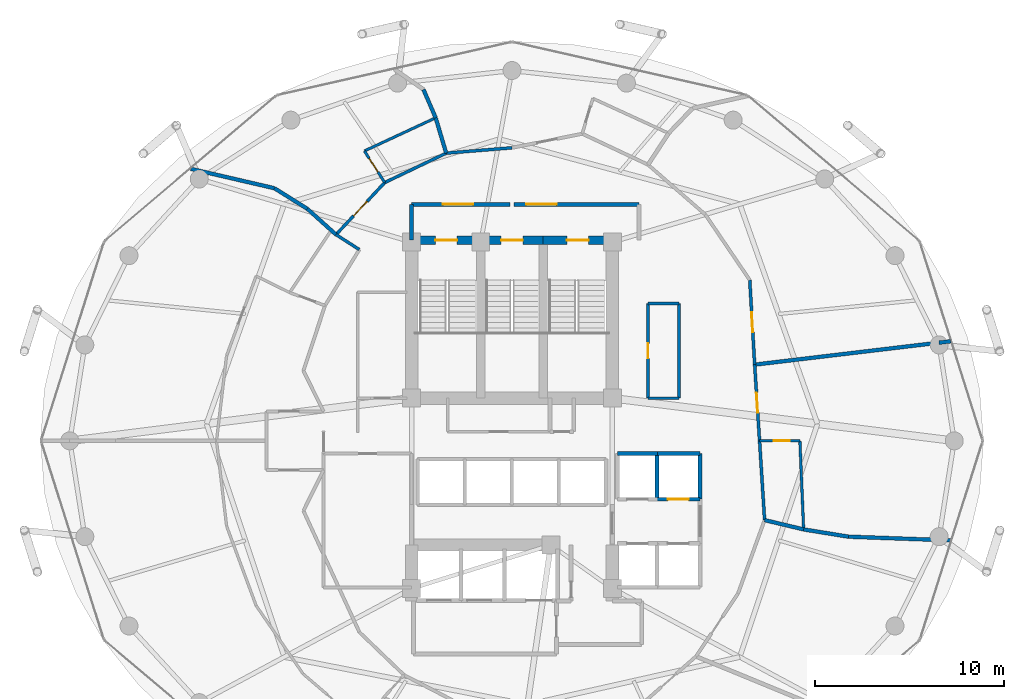
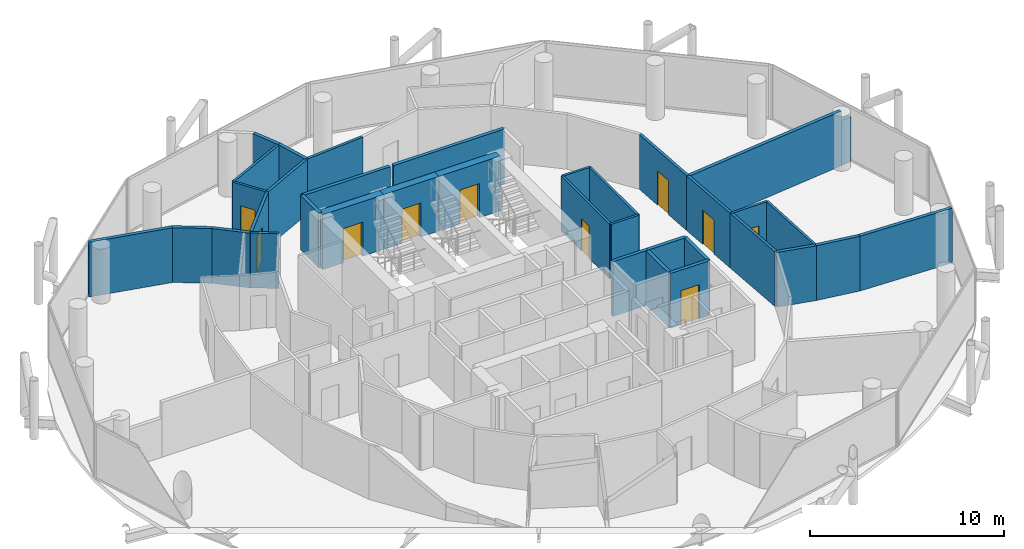
# One storey, part 24 of 26: 36 walls, 12 doors, 12 openings.
"""IFC4 building model written with IfcOpenShell, lengths in metres."""

from ifc_helpers import new_model, si_unit, direction, frame, frame_2d, origin, place, context, subcontext, project, spatial, rectangle, extrude, material, layer, layer_set, type_object, element, fill, save


model = new_model("IFC4")

# Units and contexts
model_context = context("Model", 3, precision=1e-05, world=origin(), true_north=direction((0.0, 1.0)))
body_context = subcontext(model_context, "Body", "Model", "MODEL_VIEW")
ifc_project = project(units=[si_unit("LENGTHUNIT", "METRE"), si_unit("AREAUNIT", "SQUARE_METRE"), si_unit("VOLUMEUNIT", "CUBIC_METRE"), si_unit("PLANEANGLEUNIT", "RADIAN"), si_unit("MASSUNIT", "GRAM", prefix="KILO")], contexts=[model_context])

# Site, building, storey
site_placement = place(None, origin())
site = spatial("IfcSite", under=ifc_project, at=site_placement, CompositionType="ELEMENT")
building_placement = place(site_placement, origin())
building = spatial("IfcBuilding", under=site, at=building_placement, Name="Nuhasar Tower", CompositionType="ELEMENT")
storey_placement = place(building_placement, frame((0.0, 0.0, 125.64990234375)))
storey = spatial("IfcBuildingStorey", under=building, at=storey_placement, Name="L29", CompositionType="ELEMENT", Elevation=125.64990234375)

# Wall, opening, door
ifc_material_1 = material(Name="Concrete C50/60", Category="concrete")
ifc_layer_1 = layer(ifc_material_1, 0.449951171875)
ifc_layer_set_1 = layer_set([ifc_layer_1], Name="Concrete C50/60")
wall_type_1 = type_object("IfcWallType", Name="WL-CORE-450", PredefinedType="SHEAR", material=ifc_layer_set_1)
wall_1_placement = place(storey_placement, frame((37.35009765625, 37.39990234375, 0.0), z_axis=(0.0, 0.0, 1.0), x_axis=(-1.0, 0.0, 0.0)))
wall_1 = element("IfcWall", 1, at=wall_1_placement, inside=storey, type_object=wall_type_1, Name="L29 Stairwell Shear Wall ST01-N", PredefinedType="SHEAR", context=body_context, shape_type="SweptSolid", body=[
    extrude(rectangle(XDim=3.650146484375, YDim=0.449951171875, at=frame_2d((1.8251953125, 0.0))), origin(), (0.0, 0.0, 1.0), 3.4501953125),
])
opening_1_placement = place(wall_1_placement, frame((1.25, 0.0, 0.0)))
opening_1 = element("IfcOpeningElement", 2, at=opening_1_placement, cuts=wall_1, Name="Opening DS-01", PredefinedType="OPENING", context=body_context, shape_type="SweptSolid", body=[
    extrude(rectangle(XDim=1.14990234375, YDim=2.14990234375, at=frame_2d((0.574951171875, 1.074951171875))), frame((0.0, 0.23486328125, 0.0), z_axis=(0.0, -1.0, 0.0), x_axis=(1.0, 0.0, 0.0)), (0.0, 0.0, 1.0), 0.469970703125),
])
ifc_material_2 = material(Name="Steel S355", Category="steel")
door_type_1 = type_object("IfcDoorType", Name="DR-STAIR-FD120-1150", OperationType="NOTDEFINED", PredefinedType="DOOR", material=ifc_material_2)
door_1_placement = place(opening_1_placement, origin())
door_1 = element("IfcDoor", 3, at=door_1_placement, inside=storey, type_object=door_type_1, Name="L29 Exit Stair ST-01 Door", OperationType="SINGLE_SWING_RIGHT", OverallHeight=2.14990234375, OverallWidth=1.14990234375, PredefinedType="DOOR", context=body_context, shape_type="SweptSolid", body=[
    extrude(rectangle(XDim=1.14990234375, YDim=2.14990234375, at=frame_2d((0.574951171875, 1.074951171875))), frame((0.0, 0.02490234375, 0.0), z_axis=(0.0, -1.0, 0.0), x_axis=(1.0, 0.0, 0.0)), (0.0, 0.0, 1.0), 0.050048828125),
])
fill(opening_1, door_1)

wall_2_placement = place(storey_placement, frame((40.64990234375, 37.39990234375, 0.0), z_axis=(0.0, 0.0, 1.0), x_axis=(-1.0, 0.0, 0.0)))
wall_2 = element("IfcWall", 4, at=wall_2_placement, inside=storey, type_object=wall_type_1, Name="L29 Stairwell Shear Wall ST03-N", PredefinedType="SHEAR", context=body_context, shape_type="SweptSolid", body=[
    extrude(rectangle(XDim=3.2998046875, YDim=0.449951171875, at=frame_2d((1.64990234375, 0.0))), origin(), (0.0, 0.0, 1.0), 3.4501953125),
])
opening_2_placement = place(wall_2_placement, frame((1.074951171875, 0.0, 0.0)))
opening_2 = element("IfcOpeningElement", 5, at=opening_2_placement, cuts=wall_2, Name="Opening DS-01", PredefinedType="OPENING", context=body_context, shape_type="SweptSolid", body=[
    extrude(rectangle(XDim=1.14990234375, YDim=2.14990234375, at=frame_2d((0.574951171875, 1.074951171875))), frame((0.0, 0.23486328125, 0.0), z_axis=(0.0, -1.0, 0.0), x_axis=(1.0, 0.0, 0.0)), (0.0, 0.0, 1.0), 0.469970703125),
])
door_2_placement = place(opening_2_placement, origin())
door_2 = element("IfcDoor", 6, at=door_2_placement, inside=storey, type_object=door_type_1, Name="L29 Exit Stair ST-03 Door", OperationType="SINGLE_SWING_RIGHT", OverallHeight=2.14990234375, OverallWidth=1.14990234375, PredefinedType="DOOR", context=body_context, shape_type="SweptSolid", body=[
    extrude(rectangle(XDim=1.14990234375, YDim=2.14990234375, at=frame_2d((0.574951171875, 1.074951171875))), frame((0.0, 0.02490234375, 0.0), z_axis=(0.0, -1.0, 0.0), x_axis=(1.0, 0.0, 0.0)), (0.0, 0.0, 1.0), 0.050048828125),
])
fill(opening_2, door_2)

wall_3_placement = place(storey_placement, frame((44.300048828125, 37.39990234375, 0.0), z_axis=(0.0, 0.0, 1.0), x_axis=(-1.0, 0.0, 0.0)))
wall_3 = element("IfcWall", 7, at=wall_3_placement, inside=storey, type_object=wall_type_1, Name="L29 Stairwell Shear Wall ST02-N", PredefinedType="SHEAR", context=body_context, shape_type="SweptSolid", body=[
    extrude(rectangle(XDim=3.650146484375, YDim=0.449951171875, at=frame_2d((1.8251953125, 0.0))), origin(), (0.0, 0.0, 1.0), 3.4501953125),
])
opening_3_placement = place(wall_3_placement, frame((1.25, 0.0, 0.0)))
opening_3 = element("IfcOpeningElement", 8, at=opening_3_placement, cuts=wall_3, Name="Opening DS-01", PredefinedType="OPENING", context=body_context, shape_type="SweptSolid", body=[
    extrude(rectangle(XDim=1.14990234375, YDim=2.14990234375, at=frame_2d((0.574951171875, 1.074951171875))), frame((0.0, 0.23486328125, 0.0), z_axis=(0.0, -1.0, 0.0), x_axis=(1.0, 0.0, 0.0)), (0.0, 0.0, 1.0), 0.469970703125),
])
door_3_placement = place(opening_3_placement, origin())
door_3 = element("IfcDoor", 9, at=door_3_placement, inside=storey, type_object=door_type_1, Name="L29 Exit Stair ST-02 Door", OperationType="SINGLE_SWING_LEFT", OverallHeight=2.14990234375, OverallWidth=1.14990234375, PredefinedType="DOOR", context=body_context, shape_type="SweptSolid", body=[
    extrude(rectangle(XDim=1.14990234375, YDim=2.14990234375, at=frame_2d((0.574951171875, 1.074951171875))), frame((0.0, 0.02490234375, 0.0), z_axis=(0.0, -1.0, 0.0), x_axis=(1.0, 0.0, 0.0)), (0.0, 0.0, 1.0), 0.050048828125),
])
fill(opening_3, door_3)

# Wall
ifc_material_3 = material(Name="Gypsum Board", Category="gypsum")
ifc_layer_2 = layer(ifc_material_3, 0.159912109375)
ifc_layer_set_2 = layer_set([ifc_layer_2], Name="Gypsum Board")
wall_type_2 = type_object("IfcWallType", Name="WL-CORR-160", PredefinedType="PARTITIONING", material=ifc_layer_set_2)
wall_4_placement = place(storey_placement, frame((52.3369140625, 22.614013671875, 0.0), z_axis=(0.0, 0.0, 1.0), x_axis=(-0.063617518313, 0.997974354061, 0.0)))
element("IfcWall", 10, at=wall_4_placement, inside=storey, type_object=wall_type_2, Name="L29 Interior Partition CORR-46", PredefinedType="PARTITIONING", context=body_context, shape_type="SweptSolid", body=[
    extrude(rectangle(XDim=4.194580078125, YDim=0.159912109375, at=frame_2d((2.09716796875, 0.0))), origin(), (0.0, 0.0, 1.0), 3.4501953125),
])

# Wall, opening, door
wall_5_placement = place(storey_placement, frame((51.81201171875, 30.822021484375, 0.0), z_axis=(0.0, 0.0, 1.0), x_axis=(0.064030047677, -0.997947971086, 0.0)))
wall_5 = element("IfcWall", 11, at=wall_5_placement, inside=storey, type_object=wall_type_2, Name="L29 Interior Partition CORR-00", PredefinedType="PARTITIONING", context=body_context, shape_type="SweptSolid", body=[
    extrude(rectangle(XDim=4.0302734375, YDim=0.159912109375, at=frame_2d((2.01513671875, 0.0))), origin(), (0.0, 0.0, 1.0), 3.4501953125),
])
opening_4_placement = place(wall_5_placement, frame((1.489990234375, 0.0, 0.0)))
opening_4 = element("IfcOpeningElement", 12, at=opening_4_placement, cuts=wall_5, Name="Opening DU-01", PredefinedType="OPENING", context=body_context, shape_type="SweptSolid", body=[
    extrude(rectangle(XDim=1.050048828125, YDim=2.14990234375, at=frame_2d((0.52490234375, 1.074951171875))), frame((0.0, 0.08984375, 0.0), z_axis=(0.0, -1.0, 0.0), x_axis=(1.0, 0.0, 0.0)), (0.0, 0.0, 1.0), 0.179931640625),
])
ifc_material_4 = material(Name="Timber Oak", Category="wood")
door_type_2 = type_object("IfcDoorType", Name="DR-SUITE-FD60-1050", OperationType="NOTDEFINED", PredefinedType="DOOR", material=ifc_material_4)
door_4_placement = place(opening_4_placement, origin())
door_4 = element("IfcDoor", 13, at=door_4_placement, inside=storey, type_object=door_type_2, Name="L29 Deluxe Junior Suite 03 Entrance Door", OperationType="SINGLE_SWING_LEFT", OverallHeight=2.14990234375, OverallWidth=1.050048828125, PredefinedType="DOOR", context=body_context, shape_type="SweptSolid", body=[
    extrude(rectangle(XDim=1.050048828125, YDim=2.14990234375, at=frame_2d((0.52490234375, 1.074951171875))), frame((0.0, 0.02490234375, 0.0), z_axis=(0.0, -1.0, 0.0), x_axis=(1.0, 0.0, 0.0)), (0.0, 0.0, 1.0), 0.050048828125),
])
fill(opening_4, door_4)

wall_6_placement = place(storey_placement, frame((51.552001953125, 35.291015625, 0.0), z_axis=(0.0, 0.0, 1.0), x_axis=(0.058082602913, -0.998311780577, 0.0)))
wall_6 = element("IfcWall", 14, at=wall_6_placement, inside=storey, type_object=wall_type_2, Name="L29 Interior Partition CORR-02", PredefinedType="PARTITIONING", context=body_context, shape_type="SweptSolid", body=[
    extrude(rectangle(XDim=4.4765625, YDim=0.159912109375, at=frame_2d((2.23828125, 0.0))), origin(), (0.0, 0.0, 1.0), 3.4501953125),
])
opening_5_placement = place(wall_6_placement, frame((1.712890625, 0.0, 0.0)))
opening_5 = element("IfcOpeningElement", 15, at=opening_5_placement, cuts=wall_6, Name="Opening DU-01", PredefinedType="OPENING", context=body_context, shape_type="SweptSolid", body=[
    extrude(rectangle(XDim=1.050048828125, YDim=2.14990234375, at=frame_2d((0.52490234375, 1.074951171875))), frame((0.0, 0.08984375, 0.0), z_axis=(0.0, -1.0, 0.0), x_axis=(1.0, 0.0, 0.0)), (0.0, 0.0, 1.0), 0.179931640625),
])
door_5_placement = place(opening_5_placement, origin())
door_5 = element("IfcDoor", 16, at=door_5_placement, inside=storey, type_object=door_type_2, Name="L29 Horizon Breakfast Pantry Entrance Door", OperationType="SINGLE_SWING_RIGHT", OverallHeight=2.14990234375, OverallWidth=1.050048828125, PredefinedType="DOOR", context=body_context, shape_type="SweptSolid", body=[
    extrude(rectangle(XDim=1.050048828125, YDim=2.14990234375, at=frame_2d((0.52490234375, 1.074951171875))), frame((0.0, 0.02490234375, 0.0), z_axis=(0.0, -1.0, 0.0), x_axis=(1.0, 0.0, 0.0)), (0.0, 0.0, 1.0), 0.050048828125),
])
fill(opening_5, door_5)

# Walls
wall_7_placement = place(storey_placement, frame((39.0, 42.27001953125, 0.0), z_axis=(0.0, 0.0, 1.0), x_axis=(-0.99676721303, -0.080343780277, 0.0)))
element("IfcWall", 17, at=wall_7_placement, inside=storey, type_object=wall_type_2, Name="L29 Interior Partition CORR-12", PredefinedType="PARTITIONING", context=body_context, shape_type="SweptSolid", body=[
    extrude(rectangle(XDim=3.4853515625, YDim=0.159912109375, at=frame_2d((1.74267578125, 0.0))), origin(), (0.0, 0.0, 1.0), 3.4501953125),
])
wall_8_placement = place(storey_placement, frame((35.52587890625, 41.989990234375, 0.0), z_axis=(0.0, 0.0, 1.0), x_axis=(-0.901911315708, -0.43192126435, 0.0)))
element("IfcWall", 18, at=wall_8_placement, inside=storey, type_object=wall_type_2, Name="L29 Interior Partition CORR-14", PredefinedType="PARTITIONING", context=body_context, shape_type="SweptSolid", body=[
    extrude(rectangle(XDim=3.59765625, YDim=0.159912109375, at=frame_2d((1.798828125, 0.0))), origin(), (0.0, 0.0, 1.0), 3.4501953125),
])

# Wall, opening, door
wall_9_placement = place(storey_placement, frame((29.7080078125, 37.68701171875, 0.0), z_axis=(0.0, 0.0, 1.0), x_axis=(0.683345616113, 0.730095041032, 0.0)))
wall_9 = element("IfcWall", 19, at=wall_9_placement, inside=storey, type_object=wall_type_2, Name="L29 Interior Partition CORR-16", PredefinedType="PARTITIONING", context=body_context, shape_type="SweptSolid", body=[
    extrude(rectangle(XDim=3.765380859375, YDim=0.159912109375, at=frame_2d((1.8828125, 0.0))), origin(), (0.0, 0.0, 1.0), 3.4501953125),
])
opening_6_placement = place(wall_9_placement, frame((1.35791015625, 0.0, 0.0)))
opening_6 = element("IfcOpeningElement", 20, at=opening_6_placement, cuts=wall_9, Name="Opening DU-01", PredefinedType="OPENING", context=body_context, shape_type="SweptSolid", body=[
    extrude(rectangle(XDim=1.050048828125, YDim=2.14990234375, at=frame_2d((0.52490234375, 1.074951171875))), frame((0.0, 0.08984375, 0.0), z_axis=(0.0, -1.0, 0.0), x_axis=(1.0, 0.0, 0.0)), (0.0, 0.0, 1.0), 0.179931640625),
])
door_6_placement = place(opening_6_placement, origin())
door_6 = element("IfcDoor", 21, at=door_6_placement, inside=storey, type_object=door_type_2, Name="L29 Deluxe Junior Suite 06 Entrance Door", OperationType="SINGLE_SWING_LEFT", OverallHeight=2.14990234375, OverallWidth=1.050048828125, PredefinedType="DOOR", context=body_context, shape_type="SweptSolid", body=[
    extrude(rectangle(XDim=1.050048828125, YDim=2.14990234375, at=frame_2d((0.52490234375, 1.074951171875))), frame((0.0, 0.02490234375, 0.0), z_axis=(0.0, -1.0, 0.0), x_axis=(1.0, 0.0, 0.0)), (0.0, 0.0, 1.0), 0.050048828125),
])
fill(opening_6, door_6)

# Walls
wall_10_placement = place(storey_placement, frame((30.93896484375, 36.89697265625, 0.0), z_axis=(0.0, 0.0, 1.0), x_axis=(-0.841579560028, 0.5401331726, 0.0)))
element("IfcWall", 22, at=wall_10_placement, inside=storey, type_object=wall_type_2, Name="L29 Interior Partition HRAD-18-IN", PredefinedType="PARTITIONING", context=body_context, shape_type="SweptSolid", body=[
    extrude(rectangle(XDim=1.462646484375, YDim=0.159912109375, at=frame_2d((0.7314453125, 0.0))), origin(), (0.0, 0.0, 1.0), 3.4501953125),
])
ifc_material_5 = material(Name="Concrete C45/55", Category="concrete")
ifc_layer_3 = layer(ifc_material_5, 0.199951171875)
ifc_layer_set_3 = layer_set([ifc_layer_3], Name="Concrete C45/55")
wall_type_3 = type_object("IfcWallType", Name="WL-LOBBY-200", PredefinedType="SOLIDWALL", material=ifc_layer_set_3)
wall_11_placement = place(storey_placement, frame((33.699951171875, 37.39990234375, 0.0), z_axis=(0.0, 0.0, 1.0), x_axis=(0.0, 1.0, 0.0)))
element("IfcWall", 23, at=wall_11_placement, inside=storey, type_object=wall_type_3, Name="L29 Interior Partition NSL-W", PredefinedType="SOLIDWALL", context=body_context, shape_type="SweptSolid", body=[
    extrude(rectangle(XDim=1.880126953125, YDim=0.199951171875, at=frame_2d((0.93994140625, 0.0))), origin(), (0.0, 0.0, 1.0), 3.4501953125),
])

# Wall, opening, door
wall_12_placement = place(storey_placement, frame((38.89990234375, 39.280029296875, 0.0), z_axis=(0.0, 0.0, 1.0), x_axis=(-1.0, 0.0, 0.0)))
wall_12 = element("IfcWall", 24, at=wall_12_placement, inside=storey, type_object=wall_type_3, Name="L29 Interior Partition NSL-N1", PredefinedType="SOLIDWALL", context=body_context, shape_type="SweptSolid", body=[
    extrude(rectangle(XDim=5.199951171875, YDim=0.199951171875, at=frame_2d((2.60009765625, 0.0))), origin(), (0.0, 0.0, 1.0), 3.4501953125),
])
opening_7_placement = place(wall_12_placement, frame((1.949951171875, 0.0, 0.0)))
opening_7 = element("IfcOpeningElement", 25, at=opening_7_placement, cuts=wall_12, Name="Opening DC-01", PredefinedType="OPENING", context=body_context, shape_type="SweptSolid", body=[
    extrude(rectangle(XDim=1.60009765625, YDim=2.199951171875, at=frame_2d((0.800048828125, 1.10009765625))), frame((0.0, 0.10986328125, 0.0), z_axis=(0.0, -1.0, 0.0), x_axis=(1.0, 0.0, 0.0)), (0.0, 0.0, 1.0), 0.219970703125),
])
door_type_3 = type_object("IfcDoorType", Name="DR-CORR-FD60-1600", OperationType="DOUBLE_DOOR_SINGLE_SWING", PredefinedType="DOOR", material=ifc_material_2)
door_7_placement = place(opening_7_placement, origin())
door_7 = element("IfcDoor", 26, at=door_7_placement, inside=storey, type_object=door_type_3, Name="L29 North Stair Lobby West Door", OperationType="DOUBLE_DOOR_SINGLE_SWING", OverallHeight=2.199951171875, OverallWidth=1.60009765625, PredefinedType="DOOR", context=body_context, shape_type="SweptSolid", body=[
    extrude(rectangle(XDim=1.60009765625, YDim=2.199951171875, at=frame_2d((0.800048828125, 1.10009765625))), frame((0.0, 0.02490234375, 0.0), z_axis=(0.0, -1.0, 0.0), x_axis=(1.0, 0.0, 0.0)), (0.0, 0.0, 1.0), 0.050048828125),
])
fill(opening_7, door_7)

wall_13_placement = place(storey_placement, frame((45.699951171875, 39.280029296875, 0.0), z_axis=(0.0, 0.0, 1.0), x_axis=(-1.0, 0.0, 0.0)))
wall_13 = element("IfcWall", 27, at=wall_13_placement, inside=storey, type_object=wall_type_3, Name="L29 Interior Partition NSL-N2", PredefinedType="SOLIDWALL", context=body_context, shape_type="SweptSolid", body=[
    extrude(rectangle(XDim=6.599853515625, YDim=0.199951171875, at=frame_2d((3.2998046875, 0.0))), origin(), (0.0, 0.0, 1.0), 3.4501953125),
])
opening_8_placement = place(wall_13_placement, frame((4.35009765625, 0.0, 0.0)))
opening_8 = element("IfcOpeningElement", 28, at=opening_8_placement, cuts=wall_13, Name="Opening DC-01", PredefinedType="OPENING", context=body_context, shape_type="SweptSolid", body=[
    extrude(rectangle(XDim=1.60009765625, YDim=2.199951171875, at=frame_2d((0.800048828125, 1.10009765625))), frame((0.0, 0.10986328125, 0.0), z_axis=(0.0, -1.0, 0.0), x_axis=(1.0, 0.0, 0.0)), (0.0, 0.0, 1.0), 0.219970703125),
])
door_8_placement = place(opening_8_placement, origin())
door_8 = element("IfcDoor", 29, at=door_8_placement, inside=storey, type_object=door_type_3, Name="L29 North Stair Lobby East Door", OperationType="DOUBLE_DOOR_SINGLE_SWING", OverallHeight=2.199951171875, OverallWidth=1.60009765625, PredefinedType="DOOR", context=body_context, shape_type="SweptSolid", body=[
    extrude(rectangle(XDim=1.60009765625, YDim=2.199951171875, at=frame_2d((0.800048828125, 1.10009765625))), frame((0.0, 0.02490234375, 0.0), z_axis=(0.0, -1.0, 0.0), x_axis=(1.0, 0.0, 0.0)), (0.0, 0.0, 1.0), 0.050048828125),
])
fill(opening_8, door_8)

# Walls
ifc_layer_4 = layer(ifc_material_5, 0.199951171875)
ifc_layer_set_4 = layer_set([ifc_layer_4], Name="Concrete C45/55")
wall_type_4 = type_object("IfcWallType", Name="WL-SHAFT-200", PredefinedType="SOLIDWALL", material=ifc_layer_set_4)
wall_14_placement = place(storey_placement, frame((44.570068359375, 26.1298828125, 0.0), z_axis=(0.0, 0.0, 1.0), x_axis=(1.0, 0.0, 0.0)))
element("IfcWall", 30, at=wall_14_placement, inside=storey, type_object=wall_type_4, Name="L29 Interior Partition SHF-PL-M01-N", PredefinedType="SOLIDWALL", context=body_context, shape_type="SweptSolid", body=[
    extrude(rectangle(XDim=2.10986328125, YDim=0.199951171875, at=frame_2d((1.054931640625, 0.0))), origin(), (0.0, 0.0, 1.0), 3.4501953125),
])
wall_15_placement = place(storey_placement, frame((46.64990234375, 23.719970703125, 0.0), z_axis=(0.0, 0.0, 1.0), x_axis=(0.0, 1.0, 0.0)))
element("IfcWall", 31, at=wall_15_placement, inside=storey, type_object=wall_type_4, Name="L29 Interior Partition SHF-PL-M01-E", PredefinedType="SOLIDWALL", context=body_context, shape_type="SweptSolid", body=[
    extrude(rectangle(XDim=2.409912109375, YDim=0.199951171875, at=frame_2d((1.205078125, 0.0))), origin(), (0.0, 0.0, 1.0), 3.4501953125),
])

# Wall, opening, door
wall_16_placement = place(storey_placement, frame((46.6201171875, 23.719970703125, 0.0), z_axis=(0.0, 0.0, 1.0), x_axis=(1.0, 0.0, 0.0)))
wall_16 = element("IfcWall", 32, at=wall_16_placement, inside=storey, type_object=wall_type_4, Name="L29 Interior Partition SHF-PL-M02-S", PredefinedType="SOLIDWALL", context=body_context, shape_type="SweptSolid", body=[
    extrude(rectangle(XDim=2.309814453125, YDim=0.199951171875, at=frame_2d((1.15478515625, 0.0))), origin(), (0.0, 0.0, 1.0), 3.4501953125),
])
opening_9_placement = place(wall_16_placement, frame((0.60498046875, 0.0, 0.0)))
opening_9 = element("IfcOpeningElement", 33, at=opening_9_placement, cuts=wall_16, Name="Opening LD-M02", PredefinedType="OPENING", context=body_context, shape_type="SweptSolid", body=[
    extrude(rectangle(XDim=1.10009765625, YDim=2.14990234375, at=frame_2d((0.550048828125, 1.074951171875))), frame((0.0, 0.10986328125, 0.0), z_axis=(0.0, -1.0, 0.0), x_axis=(1.0, 0.0, 0.0)), (0.0, 0.0, 1.0), 0.219970703125),
])
ifc_material_6 = material(Name="Stainless Steel 316L", Category="steel")
door_type_4 = type_object("IfcDoorType", Name="LD-PAX-1100", OperationType="DOUBLE_DOOR_SLIDING", PredefinedType="DOOR", material=ifc_material_6)
door_9_placement = place(opening_9_placement, origin())
door_9 = element("IfcDoor", 34, at=door_9_placement, inside=storey, type_object=door_type_4, Name="L29 Lift Landing Door PL-M02", OperationType="DOUBLE_DOOR_SLIDING", OverallHeight=2.14990234375, OverallWidth=1.10009765625, PredefinedType="DOOR", context=body_context, shape_type="SweptSolid", body=[
    extrude(rectangle(XDim=1.10009765625, YDim=2.14990234375, at=frame_2d((0.550048828125, 1.074951171875))), frame((0.0, 0.02490234375, 0.0), z_axis=(0.0, -1.0, 0.0), x_axis=(1.0, 0.0, 0.0)), (0.0, 0.0, 1.0), 0.050048828125),
])
fill(opening_9, door_9)

# Walls
wall_17_placement = place(storey_placement, frame((46.6201171875, 26.1298828125, 0.0), z_axis=(0.0, 0.0, 1.0), x_axis=(1.0, 0.0, 0.0)))
element("IfcWall", 35, at=wall_17_placement, inside=storey, type_object=wall_type_4, Name="L29 Interior Partition SHF-PL-M02-N", PredefinedType="SOLIDWALL", context=body_context, shape_type="SweptSolid", body=[
    extrude(rectangle(XDim=2.309814453125, YDim=0.199951171875, at=frame_2d((1.15478515625, 0.0))), origin(), (0.0, 0.0, 1.0), 3.4501953125),
])
wall_18_placement = place(storey_placement, frame((48.929931640625, 23.719970703125, 0.0), z_axis=(0.0, 0.0, 1.0), x_axis=(0.0, 1.0, 0.0)))
element("IfcWall", 36, at=wall_18_placement, inside=storey, type_object=wall_type_4, Name="L29 Interior Partition SHF-PL-M02-E", PredefinedType="SOLIDWALL", context=body_context, shape_type="SweptSolid", body=[
    extrude(rectangle(XDim=2.409912109375, YDim=0.199951171875, at=frame_2d((1.205078125, 0.0))), origin(), (0.0, 0.0, 1.0), 3.4501953125),
])
ifc_material_7 = material(Name="Concrete C40/50 precast", Category="concrete")
ifc_layer_5 = layer(ifc_material_7, 0.199951171875)
ifc_layer_set_5 = layer_set([ifc_layer_5], Name="Concrete C40/50 precast")
wall_type_5 = type_object("IfcWallType", Name="WL-UNIT-200", PredefinedType="PARTITIONING", material=ifc_layer_set_5)
wall_19_placement = place(storey_placement, frame((29.7080078125, 37.68701171875, 0.0), z_axis=(0.0, 0.0, 1.0), x_axis=(-0.74324040167, 0.669024442996, 0.0)))
element("IfcWall", 37, at=wall_19_placement, inside=storey, type_object=wall_type_5, Name="L29 Interior Partition HRAD-18-OUT-S1", PredefinedType="PARTITIONING", context=body_context, shape_type="SweptSolid", body=[
    extrude(rectangle(XDim=2.032958984375, YDim=0.199951171875, at=frame_2d((1.0166015625, 0.0))), origin(), (0.0, 0.0, 1.0), 3.4501953125),
])
wall_20_placement = place(storey_placement, frame((28.197021484375, 39.047119140625, 0.0), z_axis=(0.0, 0.0, 1.0), x_axis=(-0.847831276323, 0.530266090646, 0.0)))
element("IfcWall", 38, at=wall_20_placement, inside=storey, type_object=wall_type_5, Name="L29 Interior Partition HRAD-18-OUT-S2", PredefinedType="PARTITIONING", context=body_context, shape_type="SweptSolid", body=[
    extrude(rectangle(XDim=2.053466796875, YDim=0.199951171875, at=frame_2d((1.02685546875, 0.0))), origin(), (0.0, 0.0, 1.0), 3.4501953125),
])
wall_21_placement = place(storey_placement, frame((26.4560546875, 40.135986328125, 0.0), z_axis=(0.0, 0.0, 1.0), x_axis=(-0.974112463391, 0.226063948177, 0.0)))
element("IfcWall", 39, at=wall_21_placement, inside=storey, type_object=wall_type_5, Name="L29 Interior Partition HRAD-18-OUT-S3", PredefinedType="PARTITIONING", context=body_context, shape_type="SweptSolid", body=[
    extrude(rectangle(XDim=4.529296875, YDim=0.199951171875, at=frame_2d((2.2646484375, 0.0))), origin(), (0.0, 0.0, 1.0), 3.4501953125),
])
wall_22_placement = place(storey_placement, frame((52.3369140625, 22.614013671875, 0.0), z_axis=(0.0, 0.0, 1.0), x_axis=(0.972676255442, -0.232165678123, 0.0)))
element("IfcWall", 40, at=wall_22_placement, inside=storey, type_object=wall_type_5, Name="L29 Interior Partition HRAD-46-S1", PredefinedType="PARTITIONING", context=body_context, shape_type="SweptSolid", body=[
    extrude(rectangle(XDim=2.118896484375, YDim=0.199951171875, at=frame_2d((1.0595703125, 0.0))), origin(), (0.0, 0.0, 1.0), 3.4501953125),
])
wall_23_placement = place(storey_placement, frame((54.39794921875, 22.1220703125, 0.0), z_axis=(0.0, 0.0, 1.0), x_axis=(0.987136277259, -0.159881112451, 0.0)))
element("IfcWall", 41, at=wall_23_placement, inside=storey, type_object=wall_type_5, Name="L29 Interior Partition HRAD-46-S2", PredefinedType="PARTITIONING", context=body_context, shape_type="SweptSolid", body=[
    extrude(rectangle(XDim=2.402099609375, YDim=0.199951171875, at=frame_2d((1.201171875, 0.0))), origin(), (0.0, 0.0, 1.0), 3.4501953125),
])
wall_24_placement = place(storey_placement, frame((56.76904296875, 21.738037109375, 0.0), z_axis=(0.0, 0.0, 1.0), x_axis=(0.999353019486, -0.035965851086, 0.0)))
element("IfcWall", 42, at=wall_24_placement, inside=storey, type_object=wall_type_5, Name="L29 Interior Partition HRAD-46-S3", PredefinedType="PARTITIONING", context=body_context, shape_type="SweptSolid", body=[
    extrude(rectangle(XDim=5.396484375, YDim=0.199951171875, at=frame_2d((2.6982421875, 0.0))), origin(), (0.0, 0.0, 1.0), 3.4501953125),
])
wall_25_placement = place(storey_placement, frame((51.81201171875, 30.822021484375, 0.0), z_axis=(0.0, 0.0, 1.0), x_axis=(0.992973508354, 0.118336856925, 0.0)))
element("IfcWall", 43, at=wall_25_placement, inside=storey, type_object=wall_type_5, Name="L29 Interior Partition HRAD-02", PredefinedType="PARTITIONING", context=body_context, shape_type="SweptSolid", body=[
    extrude(rectangle(XDim=9.8017578125, YDim=0.199951171875, at=frame_2d((4.90087890625, 0.0))), origin(), (0.0, 0.0, 1.0), 3.4501953125),
])
wall_26_placement = place(storey_placement, frame((61.544921875, 31.98193359375, 0.0), z_axis=(0.0, 0.0, 1.0), x_axis=(0.992893555013, 0.119005833532, 0.0)))
element("IfcWall", 44, at=wall_26_placement, inside=storey, type_object=wall_type_5, Name="L29 Interior Partition HRAD-02", PredefinedType="PARTITIONING", context=body_context, shape_type="SweptSolid", body=[
    extrude(rectangle(XDim=0.62158203125, YDim=0.199951171875, at=frame_2d((0.310791015625, 0.0))), origin(), (0.0, 0.0, 1.0), 2.835205078125),
])
wall_27_placement = place(storey_placement, frame((35.52587890625, 41.989990234375, 0.0), z_axis=(0.0, 0.0, 1.0), x_axis=(-0.285930550579, 0.958250343201, 0.0)))
element("IfcWall", 45, at=wall_27_placement, inside=storey, type_object=wall_type_5, Name="L29 Interior Partition HRAD-14-S1", PredefinedType="PARTITIONING", context=body_context, shape_type="SweptSolid", body=[
    extrude(rectangle(XDim=1.944091796875, YDim=0.199951171875, at=frame_2d((0.97216796875, 0.0))), origin(), (0.0, 0.0, 1.0), 3.4501953125),
])
wall_28_placement = place(storey_placement, frame((34.969970703125, 43.85302734375, 0.0), z_axis=(0.0, 0.0, 1.0), x_axis=(-0.39540215096, 0.918508105036, 0.0)))
element("IfcWall", 46, at=wall_28_placement, inside=storey, type_object=wall_type_5, Name="L29 Interior Partition HRAD-14-S2", PredefinedType="PARTITIONING", context=body_context, shape_type="SweptSolid", body=[
    extrude(rectangle(XDim=1.62890625, YDim=0.199951171875, at=frame_2d((0.814453125, 0.0))), origin(), (0.0, 0.0, 1.0), 3.4501953125),
])

# Wall, opening, door
ifc_layer_6 = layer(ifc_material_7, 0.139892578125)
ifc_layer_set_6 = layer_set([ifc_layer_6], Name="Concrete C40/50 precast")
wall_type_6 = type_object("IfcWallType", Name="WL-WET-140", PredefinedType="PARTITIONING", material=ifc_layer_set_6)
wall_29_placement = place(storey_placement, frame((46.179931640625, 34.050048828125, 0.0), z_axis=(0.0, 0.0, 1.0), x_axis=(0.0, -1.0, 0.0)))
wall_29 = element("IfcWall", 47, at=wall_29_placement, inside=storey, type_object=wall_type_6, Name="L29 Interior Partition K3-NE-W", PredefinedType="PARTITIONING", context=body_context, shape_type="SweptSolid", body=[
    extrude(rectangle(XDim=5.0, YDim=0.139892578125, at=frame_2d((2.5, 0.0))), origin(), (0.0, 0.0, 1.0), 3.4501953125),
])
opening_10_placement = place(wall_29_placement, frame((2.10009765625, 0.0, 0.0)))
opening_10 = element("IfcOpeningElement", 48, at=opening_10_placement, cuts=wall_29, Name="Opening DM-01", PredefinedType="OPENING", context=body_context, shape_type="SweptSolid", body=[
    extrude(rectangle(XDim=0.800048828125, YDim=2.050048828125, at=frame_2d((0.39990234375, 1.02490234375))), frame((0.0, 0.080078125, 0.0), z_axis=(0.0, -1.0, 0.0), x_axis=(1.0, 0.0, 0.0)), (0.0, 0.0, 1.0), 0.159912109375),
])
door_type_5 = type_object("IfcDoorType", Name="DR-RISER-FD60-800", OperationType="NOTDEFINED", PredefinedType="DOOR", material=ifc_material_2)
door_10_placement = place(opening_10_placement, origin())
door_10 = element("IfcDoor", 49, at=door_10_placement, inside=storey, type_object=door_type_5, Name="L29 NE Switchgear Room Door", OperationType="SINGLE_SWING_RIGHT", OverallHeight=2.050048828125, OverallWidth=0.800048828125, PredefinedType="DOOR", context=body_context, shape_type="SweptSolid", body=[
    extrude(rectangle(XDim=0.800048828125, YDim=2.050048828125, at=frame_2d((0.39990234375, 1.02490234375))), frame((0.0, 0.02490234375, 0.0), z_axis=(0.0, -1.0, 0.0), x_axis=(1.0, 0.0, 0.0)), (0.0, 0.0, 1.0), 0.050048828125),
])
fill(opening_10, door_10)

# Walls
for number, where, z_axis, x_axis, name in (
    (50, (46.179931640625, 29.050048828125, 0.0), (0.0, 0.0, 1.0), (1.0, 0.0, 0.0), "L29 Interior Partition K3-NE-S"),
    (51, (46.179931640625, 34.050048828125, 0.0), (0.0, 0.0, 1.0), (1.0, 0.0, 0.0), "L29 Interior Partition K3-NE-N"),
):
    element("IfcWall", number, at=place(storey_placement, frame(where, z_axis=z_axis, x_axis=x_axis)), inside=storey, type_object=wall_type_6, Name=name, PredefinedType="PARTITIONING", context=body_context, shape_type="SweptSolid", body=[
        extrude(rectangle(XDim=1.64013671875, YDim=0.139892578125, at=frame_2d((0.820068359375, 0.0))), origin(), (0.0, 0.0, 1.0), 3.4501953125),
    ])
wall_30_placement = place(storey_placement, frame((47.820068359375, 29.050048828125, 0.0), z_axis=(0.0, 0.0, 1.0), x_axis=(0.0, 1.0, 0.0)))
element("IfcWall", 52, at=wall_30_placement, inside=storey, type_object=wall_type_6, Name="L29 Interior Partition K3-NE-E", PredefinedType="PARTITIONING", context=body_context, shape_type="SweptSolid", body=[
    extrude(rectangle(XDim=5.0, YDim=0.139892578125, at=frame_2d((2.5, 0.0))), origin(), (0.0, 0.0, 1.0), 3.4501953125),
])

# Wall, opening, door
wall_31_placement = place(storey_placement, frame((52.070068359375, 26.800048828125, 0.0), z_axis=(0.0, 0.0, 1.0), x_axis=(1.0, 0.0, 0.0)))
wall_31 = element("IfcWall", 53, at=wall_31_placement, inside=storey, type_object=wall_type_6, Name="L29 Interior Partition HBW-04", PredefinedType="PARTITIONING", context=body_context, shape_type="SweptSolid", body=[
    extrude(rectangle(XDim=2.1298828125, YDim=0.139892578125, at=frame_2d((1.06494140625, 0.0))), origin(), (0.0, 0.0, 1.0), 3.4501953125),
])
opening_11_placement = place(wall_31_placement, frame((0.7470703125, 0.0, 0.0)))
opening_11 = element("IfcOpeningElement", 54, at=opening_11_placement, cuts=wall_31, Name="Opening DB-01", PredefinedType="OPENING", context=body_context, shape_type="SweptSolid", body=[
    extrude(rectangle(XDim=0.85009765625, YDim=2.10009765625, at=frame_2d((0.425048828125, 1.050048828125))), frame((0.0, 0.080078125, 0.0), z_axis=(0.0, -1.0, 0.0), x_axis=(1.0, 0.0, 0.0)), (0.0, 0.0, 1.0), 0.159912109375),
])
door_type_6 = type_object("IfcDoorType", Name="DR-BATH-850", OperationType="NOTDEFINED", PredefinedType="DOOR", material=ifc_material_4)
door_11_placement = place(opening_11_placement, origin())
door_11 = element("IfcDoor", 55, at=door_11_placement, inside=storey, type_object=door_type_6, Name="L29 Deluxe Junior Suite 03 En-Suite Door", OperationType="SINGLE_SWING_RIGHT", OverallHeight=2.10009765625, OverallWidth=0.85009765625, PredefinedType="DOOR", context=body_context, shape_type="SweptSolid", body=[
    extrude(rectangle(XDim=0.85009765625, YDim=2.10009765625, at=frame_2d((0.425048828125, 1.050048828125))), frame((0.0, 0.02490234375, 0.0), z_axis=(0.0, -1.0, 0.0), x_axis=(1.0, 0.0, 0.0)), (0.0, 0.0, 1.0), 0.050048828125),
])
fill(opening_11, door_11)

# Wall
wall_32_placement = place(storey_placement, frame((54.39794921875, 22.1220703125, 0.0), z_axis=(0.0, 0.0, 1.0), x_axis=(-0.042287695865, 0.999105475302, 0.0)))
element("IfcWall", 56, at=wall_32_placement, inside=storey, type_object=wall_type_6, Name="L29 Interior Partition HBF-04-46", PredefinedType="PARTITIONING", context=body_context, shape_type="SweptSolid", body=[
    extrude(rectangle(XDim=4.68212890625, YDim=0.139892578125, at=frame_2d((2.341064453125, 0.0))), origin(), (0.0, 0.0, 1.0), 3.4501953125),
])

# Wall, opening, door
wall_33_placement = place(storey_placement, frame((32.281005859375, 40.43603515625, 0.0), z_axis=(0.0, 0.0, 1.0), x_axis=(-0.541591142475, 0.840642037013, 0.0)))
wall_33 = element("IfcWall", 57, at=wall_33_placement, inside=storey, type_object=wall_type_6, Name="L29 Interior Partition HBW-07", PredefinedType="PARTITIONING", context=body_context, shape_type="SweptSolid", body=[
    extrude(rectangle(XDim=1.98291015625, YDim=0.139892578125, at=frame_2d((0.991455078125, 0.0))), origin(), (0.0, 0.0, 1.0), 3.4501953125),
])
opening_12_placement = place(wall_33_placement, frame((0.666015625, 0.0, 0.0)))
opening_12 = element("IfcOpeningElement", 58, at=opening_12_placement, cuts=wall_33, Name="Opening DB-01", PredefinedType="OPENING", context=body_context, shape_type="SweptSolid", body=[
    extrude(rectangle(XDim=0.85009765625, YDim=2.10009765625, at=frame_2d((0.425048828125, 1.050048828125))), frame((0.0, 0.080078125, 0.0), z_axis=(0.0, -1.0, 0.0), x_axis=(1.0, 0.0, 0.0)), (0.0, 0.0, 1.0), 0.159912109375),
])
door_12_placement = place(opening_12_placement, origin())
door_12 = element("IfcDoor", 59, at=door_12_placement, inside=storey, type_object=door_type_6, Name="L29 Deluxe Junior Suite 06 En-Suite Door", OperationType="SINGLE_SWING_RIGHT", OverallHeight=2.10009765625, OverallWidth=0.85009765625, PredefinedType="DOOR", context=body_context, shape_type="SweptSolid", body=[
    extrude(rectangle(XDim=0.85009765625, YDim=2.10009765625, at=frame_2d((0.425048828125, 1.050048828125))), frame((0.0, 0.02490234375, 0.0), z_axis=(0.0, -1.0, 0.0), x_axis=(1.0, 0.0, 0.0)), (0.0, 0.0, 1.0), 0.050048828125),
])
fill(opening_12, door_12)

# Wall
wall_34_placement = place(storey_placement, frame((34.969970703125, 43.85302734375, 0.0), z_axis=(0.0, 0.0, 1.0), x_axis=(-0.906739944813, -0.421690256564, 0.0)))
element("IfcWall", 60, at=wall_34_placement, inside=storey, type_object=wall_type_6, Name="L29 Interior Partition HBF-07-14", PredefinedType="PARTITIONING", context=body_context, shape_type="SweptSolid", body=[
    extrude(rectangle(XDim=4.14990234375, YDim=0.139892578125, at=frame_2d((2.074951171875, 0.0))), origin(), (0.0, 0.0, 1.0), 3.4501953125),
])

save(model, "model.ifc")
